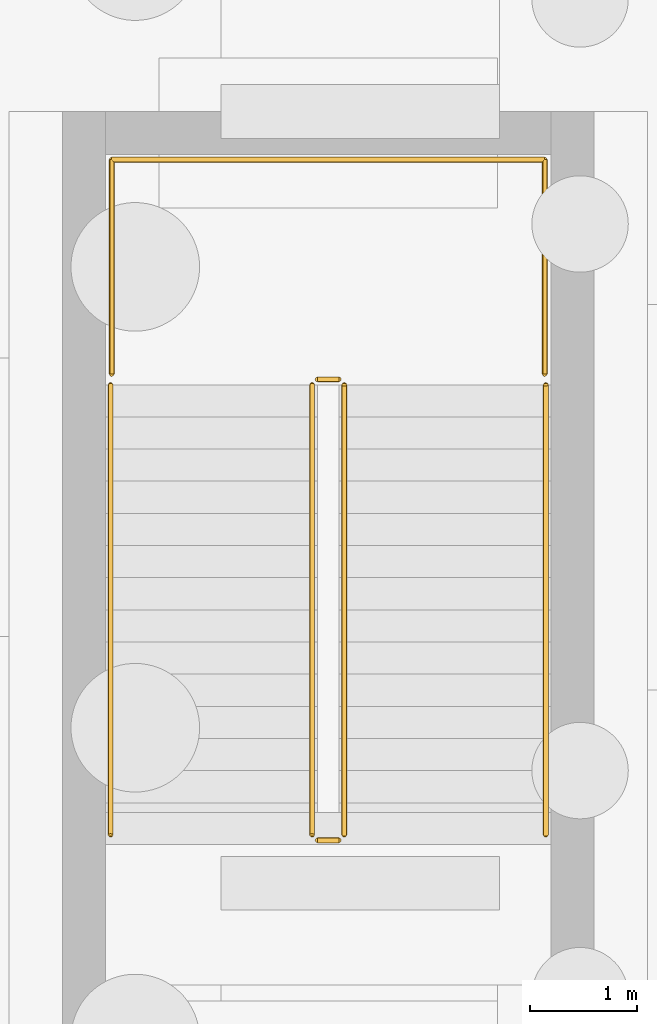
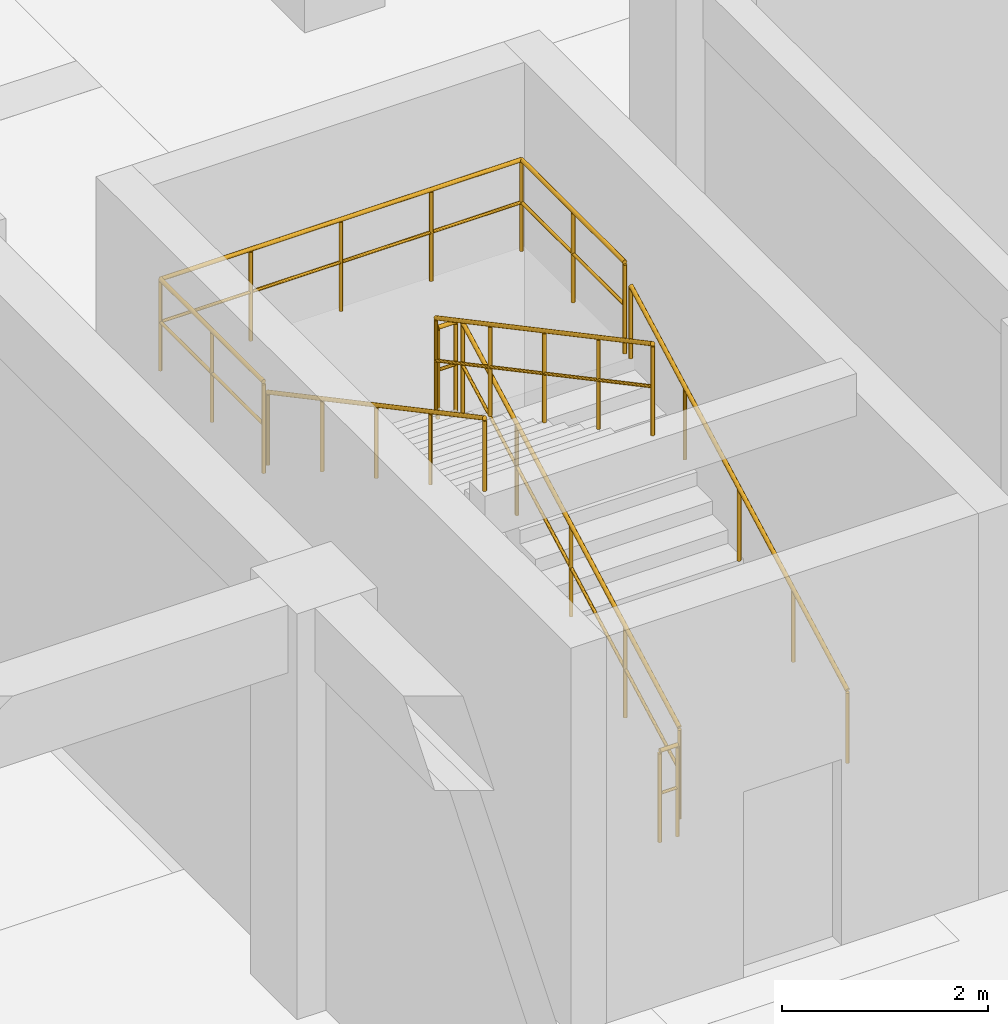
# One storey, part 23 of 26: 7 railings.
"""IFC4 building model written with IfcOpenShell, lengths in metres."""

from ifc_helpers import new_model, si_unit, direction, frame, origin, origin_2d, place, context, subcontext, project, spatial, circle, extrude, material, type_object, element, save


model = new_model("IFC4")

# Units and contexts
model_context = context("Model", 3, precision=1e-05, world=origin(), true_north=direction((0.0, 1.0)))
body_context = subcontext(model_context, "Body", "Model", "MODEL_VIEW")
ifc_project = project(units=[si_unit("LENGTHUNIT", "METRE"), si_unit("AREAUNIT", "SQUARE_METRE"), si_unit("VOLUMEUNIT", "CUBIC_METRE"), si_unit("PLANEANGLEUNIT", "RADIAN"), si_unit("MASSUNIT", "GRAM", prefix="KILO")], contexts=[model_context])

# Site, building, storey
site_placement = place(None, origin())
site = spatial("IfcSite", under=ifc_project, at=site_placement, CompositionType="ELEMENT")
building_placement = place(site_placement, origin())
building = spatial("IfcBuilding", under=site, at=building_placement, Name="Kenerak Square Central Library", CompositionType="ELEMENT")
storey_placement = place(building_placement, frame((0.0, 0.0, -4.800048828125)))
storey = spatial("IfcBuildingStorey", under=building, at=storey_placement, Name="B1", CompositionType="ELEMENT", Elevation=-4.800048828125)

# Railings
ifc_material = material(Name="Steel S355", Category="steel")
railing_type_1 = type_object("IfcRailingType", Name="Safety Guardrail GR-1100 S355", PredefinedType="GUARDRAIL", material=ifc_material)
railing_1_placement = place(storey_placement, frame((113.14990234375, 60.449951171875, 0.16015625)))
element("IfcRailing", 1, at=railing_1_placement, inside=storey, type_object=railing_type_1, Name="B1 ST-09 stair guard 1", PredefinedType="GUARDRAIL", context=body_context, shape_type="SweptSolid", body=[
    extrude(circle(Radius=0.02392578125, at=origin_2d()), frame((0.0, 0.0, 1.076171875), z_axis=(0.0, 0.882351521365, 0.470590897432), x_axis=(-1.0, 0.0, 0.0)), (0.0, 0.0, 1.0), 4.760009765625),
    extrude(circle(Radius=0.01806640625, at=origin_2d()), frame((0.0, 0.0, 0.572021484375), z_axis=(0.0, 0.882351521365, 0.470590897432), x_axis=(-1.0, 0.0, 0.0)), (0.0, 0.0, 1.0), 4.760009765625),
    extrude(circle(Radius=0.02099609375, at=origin_2d()), origin(), (0.0, 0.0, 1.0), 1.052001953125),
    extrude(circle(Radius=0.02099609375, at=origin_2d()), frame((0.0, 1.050048828125, 0.56005859375)), (0.0, 0.0, 1.0), 1.052001953125),
    extrude(circle(Radius=0.02099609375, at=origin_2d()), frame((0.0, 2.10009765625, 1.1201171875)), (0.0, 0.0, 1.0), 1.052001953125),
    extrude(circle(Radius=0.02099609375, at=origin_2d()), frame((0.0, 3.14990234375, 1.679931640625)), (0.0, 0.0, 1.0), 1.052001953125),
    extrude(circle(Radius=0.02099609375, at=origin_2d()), frame((0.0, 4.199951171875, 2.239990234375)), (0.0, 0.0, 1.0), 1.052001953125),
])
railing_2_placement = place(storey_placement, frame((113.10009765625, 64.699951171875, 2.400146484375)))
element("IfcRailing", 2, at=railing_2_placement, inside=storey, type_object=railing_type_1, Name="B1 ST-09 stair guard 2", PredefinedType="GUARDRAIL", context=body_context, shape_type="SweptSolid", body=[
    extrude(circle(Radius=0.02392578125, at=origin_2d()), frame((0.0, 0.0, 1.076171875), z_axis=(-1.0, 0.0, 0.0), x_axis=(0.0, -1.0, 0.0)), (0.0, 0.0, 1.0), 0.2001953125),
    extrude(circle(Radius=0.01806640625, at=origin_2d()), frame((0.0, 0.0, 0.572021484375), z_axis=(-1.0, 0.0, 0.0), x_axis=(0.0, -1.0, 0.0)), (0.0, 0.0, 1.0), 0.2001953125),
    extrude(circle(Radius=0.02099609375, at=origin_2d()), origin(), (0.0, 0.0, 1.0), 1.052001953125),
    extrude(circle(Radius=0.02099609375, at=origin_2d()), frame((-0.2001953125, 0.0, 0.0)), (0.0, 0.0, 1.0), 1.052001953125),
])
railing_3_placement = place(storey_placement, frame((112.85009765625, 64.64990234375, 2.56005859375)))
element("IfcRailing", 3, at=railing_3_placement, inside=storey, type_object=railing_type_1, Name="B1 ST-09 stair guard 3", PredefinedType="GUARDRAIL", context=body_context, shape_type="SweptSolid", body=[
    extrude(circle(Radius=0.02392578125, at=origin_2d()), frame((0.0, 0.0, 1.076171875), z_axis=(0.0, -0.882351521365, 0.470590897432), x_axis=(1.0, 0.0, 0.0)), (0.0, 0.0, 1.0), 4.760009765625),
    extrude(circle(Radius=0.01806640625, at=origin_2d()), frame((0.0, 0.0, 0.572021484375), z_axis=(0.0, -0.882351521365, 0.470590897432), x_axis=(1.0, 0.0, 0.0)), (0.0, 0.0, 1.0), 4.760009765625),
    extrude(circle(Radius=0.02099609375, at=origin_2d()), origin(), (0.0, 0.0, 1.0), 1.052001953125),
    extrude(circle(Radius=0.02099609375, at=origin_2d()), frame((0.0, -1.050048828125, 0.56005859375)), (0.0, 0.0, 1.0), 1.052001953125),
    extrude(circle(Radius=0.02099609375, at=origin_2d()), frame((0.0, -2.10009765625, 1.1201171875)), (0.0, 0.0, 1.0), 1.052001953125),
    extrude(circle(Radius=0.02099609375, at=origin_2d()), frame((0.0, -3.14990234375, 1.679931640625)), (0.0, 0.0, 1.0), 1.052001953125),
    extrude(circle(Radius=0.02099609375, at=origin_2d()), frame((0.0, -4.199951171875, 2.239990234375)), (0.0, 0.0, 1.0), 1.052001953125),
])
railing_4_placement = place(storey_placement, frame((113.10009765625, 60.39990234375, 0.0)))
element("IfcRailing", 4, at=railing_4_placement, inside=storey, type_object=railing_type_1, Name="B1 ST-09 stair guard 4", PredefinedType="GUARDRAIL", context=body_context, shape_type="SweptSolid", body=[
    extrude(circle(Radius=0.02392578125, at=origin_2d()), frame((0.0, 0.0, 1.076171875), z_axis=(-1.0, 0.0, 0.0), x_axis=(0.0, -1.0, 0.0)), (0.0, 0.0, 1.0), 0.2001953125),
    extrude(circle(Radius=0.01806640625, at=origin_2d()), frame((0.0, 0.0, 0.572021484375), z_axis=(-1.0, 0.0, 0.0), x_axis=(0.0, -1.0, 0.0)), (0.0, 0.0, 1.0), 0.2001953125),
    extrude(circle(Radius=0.02099609375, at=origin_2d()), origin(), (0.0, 0.0, 1.0), 1.052001953125),
    extrude(circle(Radius=0.02099609375, at=origin_2d()), frame((-0.2001953125, 0.0, 0.0)), (0.0, 0.0, 1.0), 1.052001953125),
])
railing_5_placement = place(storey_placement, frame((110.97998046875, 64.75, 2.400146484375)))
element("IfcRailing", 5, at=railing_5_placement, inside=storey, type_object=railing_type_1, Name="Stair Half-Landing Guard ST-09 B1", PredefinedType="GUARDRAIL", context=body_context, shape_type="SweptSolid", body=[
    extrude(circle(Radius=0.02392578125, at=origin_2d()), frame((0.0, 0.0, 1.076171875), z_axis=(0.0, 1.0, 0.0), x_axis=(-1.0, 0.0, 0.0)), (0.0, 0.0, 1.0), 2.0),
    extrude(circle(Radius=0.01806640625, at=origin_2d()), frame((0.0, 0.0, 0.572021484375), z_axis=(0.0, 1.0, 0.0), x_axis=(-1.0, 0.0, 0.0)), (0.0, 0.0, 1.0), 2.0),
    extrude(circle(Radius=0.02392578125, at=origin_2d()), frame((0.0, 2.0, 1.076171875), z_axis=(1.0, 0.0, 0.0), x_axis=(0.0, 1.0, 0.0)), (0.0, 0.0, 1.0), 4.0400390625),
    extrude(circle(Radius=0.01806640625, at=origin_2d()), frame((0.0, 2.0, 0.572021484375), z_axis=(1.0, 0.0, 0.0), x_axis=(0.0, 1.0, 0.0)), (0.0, 0.0, 1.0), 4.0400390625),
    extrude(circle(Radius=0.02392578125, at=origin_2d()), frame((4.0400390625, 2.0, 1.076171875), z_axis=(0.0, -1.0, 0.0), x_axis=(1.0, 0.0, 0.0)), (0.0, 0.0, 1.0), 2.0),
    extrude(circle(Radius=0.01806640625, at=origin_2d()), frame((4.0400390625, 2.0, 0.572021484375), z_axis=(0.0, -1.0, 0.0), x_axis=(1.0, 0.0, 0.0)), (0.0, 0.0, 1.0), 2.0),
    extrude(circle(Radius=0.02099609375, at=origin_2d()), origin(), (0.0, 0.0, 1.0), 1.052001953125),
    extrude(circle(Radius=0.02099609375, at=origin_2d()), frame((0.0, 1.0, 0.0)), (0.0, 0.0, 1.0), 1.052001953125),
    extrude(circle(Radius=0.02099609375, at=origin_2d()), frame((0.0, 2.0, 0.0)), (0.0, 0.0, 1.0), 1.052001953125),
    extrude(circle(Radius=0.02099609375, at=origin_2d()), frame((1.010009765625, 2.0, 0.0)), (0.0, 0.0, 1.0), 1.052001953125),
    extrude(circle(Radius=0.02099609375, at=origin_2d()), frame((2.02001953125, 2.0, 0.0)), (0.0, 0.0, 1.0), 1.052001953125),
    extrude(circle(Radius=0.02099609375, at=origin_2d()), frame((3.030029296875, 2.0, 0.0)), (0.0, 0.0, 1.0), 1.052001953125),
    extrude(circle(Radius=0.02099609375, at=origin_2d()), frame((4.0400390625, 2.0, 0.0)), (0.0, 0.0, 1.0), 1.052001953125),
    extrude(circle(Radius=0.02099609375, at=origin_2d()), frame((4.0400390625, 1.0, 0.0)), (0.0, 0.0, 1.0), 1.052001953125),
    extrude(circle(Radius=0.02099609375, at=origin_2d()), frame((4.0400390625, 0.0, 0.0)), (0.0, 0.0, 1.0), 1.052001953125),
])
railing_type_2 = type_object("IfcRailingType", Name="Stair Handrail HR-880 S355", PredefinedType="HANDRAIL", material=ifc_material)
railing_6_placement = place(storey_placement, frame((115.030029296875, 60.449951171875, 0.16015625)))
element("IfcRailing", 6, at=railing_6_placement, inside=storey, type_object=railing_type_2, Name="B1 ST-09 stair handrail 1", PredefinedType="HANDRAIL", context=body_context, shape_type="SweptSolid", body=[
    extrude(circle(Radius=0.02392578125, at=origin_2d()), frame((0.0, 0.0, 0.85595703125), z_axis=(0.0, 0.882351521365, 0.470590897432), x_axis=(-1.0, 0.0, 0.0)), (0.0, 0.0, 1.0), 4.760009765625),
    extrude(circle(Radius=0.02099609375, at=origin_2d()), origin(), (0.0, 0.0, 1.0), 0.831787109375),
    extrude(circle(Radius=0.02099609375, at=origin_2d()), frame((0.0, 1.050048828125, 0.56005859375)), (0.0, 0.0, 1.0), 0.831787109375),
    extrude(circle(Radius=0.02099609375, at=origin_2d()), frame((0.0, 2.10009765625, 1.1201171875)), (0.0, 0.0, 1.0), 0.831787109375),
    extrude(circle(Radius=0.02099609375, at=origin_2d()), frame((0.0, 3.14990234375, 1.679931640625)), (0.0, 0.0, 1.0), 0.831787109375),
    extrude(circle(Radius=0.02099609375, at=origin_2d()), frame((0.0, 4.199951171875, 2.239990234375)), (0.0, 0.0, 1.0), 0.831787109375),
])
railing_7_placement = place(storey_placement, frame((110.969970703125, 64.64990234375, 2.56005859375)))
element("IfcRailing", 7, at=railing_7_placement, inside=storey, type_object=railing_type_2, Name="B1 ST-09 stair handrail 2", PredefinedType="HANDRAIL", context=body_context, shape_type="SweptSolid", body=[
    extrude(circle(Radius=0.02392578125, at=origin_2d()), frame((0.0, 0.0, 0.85595703125), z_axis=(0.0, -0.882351521365, 0.470590897432), x_axis=(1.0, 0.0, 0.0)), (0.0, 0.0, 1.0), 4.760009765625),
    extrude(circle(Radius=0.02099609375, at=origin_2d()), origin(), (0.0, 0.0, 1.0), 0.831787109375),
    extrude(circle(Radius=0.02099609375, at=origin_2d()), frame((0.0, -1.050048828125, 0.56005859375)), (0.0, 0.0, 1.0), 0.831787109375),
    extrude(circle(Radius=0.02099609375, at=origin_2d()), frame((0.0, -2.10009765625, 1.1201171875)), (0.0, 0.0, 1.0), 0.831787109375),
    extrude(circle(Radius=0.02099609375, at=origin_2d()), frame((0.0, -3.14990234375, 1.679931640625)), (0.0, 0.0, 1.0), 0.831787109375),
    extrude(circle(Radius=0.02099609375, at=origin_2d()), frame((0.0, -4.199951171875, 2.239990234375)), (0.0, 0.0, 1.0), 0.831787109375),
])

save(model, "model.ifc")
